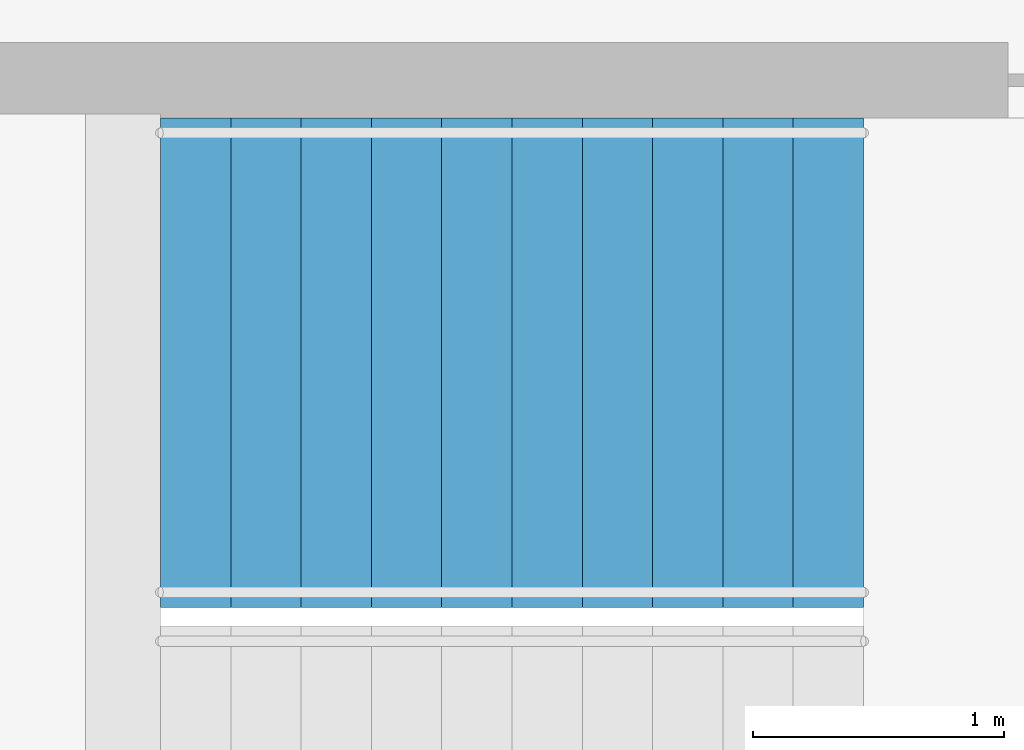
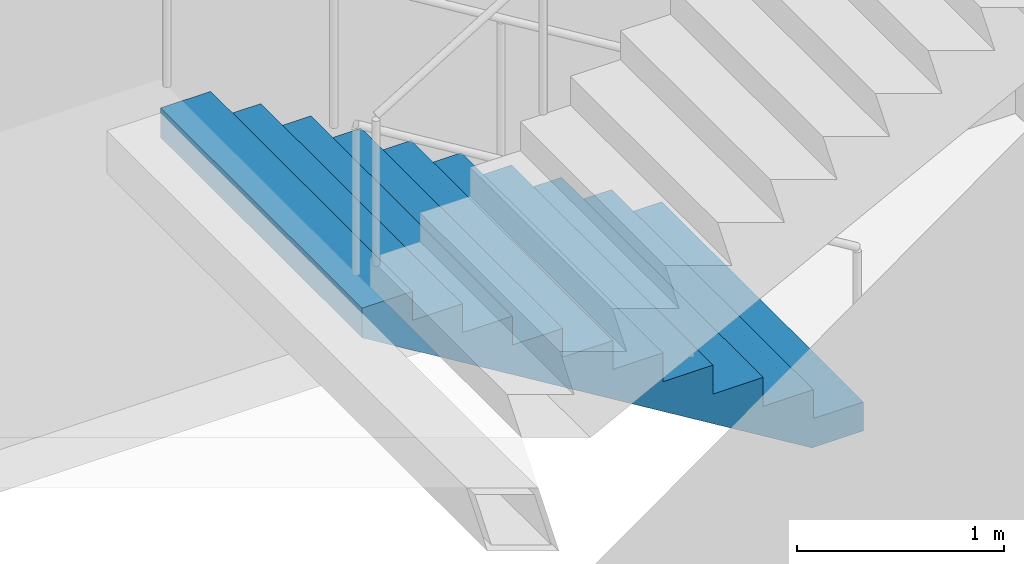
# One storey, part 20 of 21: 1 stair flight, 1 element without a shape of its own.
"""IFC4 building model written with IfcOpenShell, lengths in metres."""

import ifcopenshell
import ifcopenshell.guid

model = None  # the IFC model being written
_history = None  # IfcOwnerHistory: only IFC2X3 demands one
_inside = {}  # id of a spatial element -> (the spatial element, [elements in it])
_under = {}  # id of a project, library or spatial element -> (it, [spatial elements below it])
_declared = {}  # id of a project -> (the project, [libraries it declares])
_typed = {}  # id of a type object -> (the type object, [elements of that type])
_made_of = {}  # id of a material, layer set ... -> (it, [elements and type objects made of it])


def new_model(schema):
    """Start an empty IFC model of exactly this schema.

    Asked for "IFC4X3", IfcOpenShell would pick the latest addendum, in which some entities
    have other attributes; the version numbers below select the first issue.
    IFC2X3 requires an IfcOwnerHistory on every rooted entity: one is made here for all.
    """
    global model, _history
    if schema == "IFC4X3":
        model = ifcopenshell.file(schema_version=(4, 3, 0, 0))
    else:
        model = ifcopenshell.file(schema=schema)
    _inside.clear()
    _under.clear()
    _declared.clear()
    _typed.clear()
    _made_of.clear()
    _history = None
    if model.schema == "IFC2X3":
        org = make("IfcOrganization", Name="unknown")
        user = make(
            "IfcPersonAndOrganization",
            ThePerson=make("IfcPerson", FamilyName="unknown"),
            TheOrganization=org,
        )
        app = make(
            "IfcApplication",
            ApplicationDeveloper=org,
            Version="unknown",
            ApplicationFullName="unknown",
            ApplicationIdentifier="unknown",
        )
        _history = make(
            "IfcOwnerHistory",
            OwningUser=user,
            OwningApplication=app,
            ChangeAction="ADDED",
            CreationDate=0,
        )
    return model


def make(cls, **values):
    """One entity of the class cls with the attributes given. An attribute that is None is left unset."""
    return model.create_entity(
        cls, **{name: value for name, value in values.items() if value is not None}
    )


def rooted(cls, **values):
    """An entity with a GlobalId (a new one), such as an element, a storey or a relation."""
    return make(cls, GlobalId=ifcopenshell.guid.new(), OwnerHistory=_history, **values)


def si_unit(unit_type, name, prefix=None):
    """IfcSIUnit, for example si_unit("LENGTHUNIT", "METRE", prefix="MILLI")."""
    return make("IfcSIUnit", UnitType=unit_type, Prefix=prefix, Name=name)


def assignment(units):
    """IfcUnitAssignment: the units of a project."""
    return None if units is None else make("IfcUnitAssignment", Units=units)


def point(xyz):
    """IfcCartesianPoint."""
    return None if xyz is None else make("IfcCartesianPoint", Coordinates=xyz)


def direction(xyz):
    """IfcDirection."""
    return None if xyz is None else make("IfcDirection", DirectionRatios=xyz)


def frame(location, z_axis=None, x_axis=None):
    """IfcAxis2Placement3D, a coordinate frame: its origin and axes. An axis left out is left unset."""
    return make(
        "IfcAxis2Placement3D",
        Location=point(location),
        Axis=direction(z_axis),
        RefDirection=direction(x_axis),
    )


def origin():
    """The frame at (0, 0, 0) with its axes left unset."""
    return frame((0.0, 0.0, 0.0))


def place(relative_to, where):
    """IfcLocalPlacement: puts the frame where relative to a parent placement (None: the world)."""
    return make(
        "IfcLocalPlacement", PlacementRelTo=relative_to, RelativePlacement=where
    )


def context(
    kind, dimensions, precision=None, world=None, true_north=None, identifier=None
):
    """IfcGeometricRepresentationContext, for example the 3D "Model" context."""
    return make(
        "IfcGeometricRepresentationContext",
        ContextIdentifier=identifier,
        ContextType=kind,
        CoordinateSpaceDimension=dimensions,
        Precision=precision,
        WorldCoordinateSystem=world,
        TrueNorth=true_north,
    )


def subcontext(parent, identifier, kind, view, scale=None):
    """IfcGeometricRepresentationSubContext, for example "Body" below "Model"."""
    return make(
        "IfcGeometricRepresentationSubContext",
        ContextIdentifier=identifier,
        ContextType=kind,
        ParentContext=parent,
        TargetScale=scale,
        TargetView=view,
    )


def project(units=None, contexts=None):
    """IfcProject with its units and contexts."""
    return rooted(
        "IfcProject",
        Name="project",
        RepresentationContexts=contexts,
        UnitsInContext=assignment(units),
    )


def spatial(cls, under=None, at=None, **own):
    """A site, building, storey or space (cls), placed at a placement, below another one or the project."""
    s = rooted(cls, ObjectPlacement=at, **own)
    if under is not None:
        _under.setdefault(under.id(), (under, []))[1].append(s)
    return s


def point_list(points):
    """IfcCartesianPointList2D or 3D."""
    cls = (
        "IfcCartesianPointList2D" if len(points[0]) == 2 else "IfcCartesianPointList3D"
    )
    return make(cls, CoordList=points)


def triangles(points, corners, closed=None, point_numbers=None):
    """IfcTriangulatedFaceSet: each triangle names its three corners, points numbered from 1."""
    return make(
        "IfcTriangulatedFaceSet",
        Coordinates=point_list(points),
        Closed=closed,
        CoordIndex=corners,
        PnIndex=point_numbers,
    )


def shape(context_of_items, identifier, shape_type, items):
    """IfcShapeRepresentation: the items that make up one representation, for example the "Body"."""
    return make(
        "IfcShapeRepresentation",
        ContextOfItems=context_of_items,
        RepresentationIdentifier=identifier,
        RepresentationType=shape_type,
        Items=items,
    )


def material(Name=None, Category=None):
    """IfcMaterial."""
    return make("IfcMaterial", Name=Name, Category=Category)


def made_of(thing, what):
    """Note that an element or type object is made of a material, layer set ...; save() writes the relation."""
    if what is not None:
        _made_of.setdefault(what.id(), (what, []))[1].append(thing)
    return thing


def type_object(cls, material=None, **own):
    """A type object (cls), such as IfcWallType, which elements share."""
    return made_of(rooted(cls, **own), material)


def element(
    cls,
    number,
    at=None,
    inside=None,
    cuts=None,
    type_object=None,
    material=None,
    context=None,
    identifier="Body",
    shape_type=None,
    held_by="IfcProductDefinitionShape",
    body=None,
    shapes=None,
    **own,
):
    """One element of the class cls, such as IfcWall. Its Tag is "e" and its number.

    at: its placement. inside: the storey or other place that contains it. cuts: it is an
    opening in that element (IfcRelVoidsElement). A single representation is given by context,
    identifier, shape_type and body (its items); several are given by shapes. held_by: the class
    of the entity that holds the representations. save() writes the other relations.
    """
    e = rooted(cls, Tag="e%d" % number, ObjectPlacement=at, **own)
    if body is not None:
        shapes = [shape(context, identifier, shape_type, body)]
    if shapes is not None:
        e.Representation = make(held_by, Representations=shapes)
    if inside is not None:
        _inside.setdefault(inside.id(), (inside, []))[1].append(e)
    if cuts is not None:
        rooted(
            "IfcRelVoidsElement", RelatingBuildingElement=cuts, RelatedOpeningElement=e
        )
    if type_object is not None:
        _typed.setdefault(type_object.id(), (type_object, []))[1].append(e)
    return made_of(e, material)


def aggregate(whole, parts):
    """IfcRelAggregates: a whole, such as a stair, and the parts it consists of."""
    return rooted("IfcRelAggregates", RelatingObject=whole, RelatedObjects=parts)


def save(model, path):
    """Write the relations noted so far, then the file.

    IfcRelAggregates (storeys below a building ...), IfcRelContainedInSpatialStructure (elements
    in a storey), IfcRelDefinesByType, IfcRelAssociatesMaterial and IfcRelDeclares: one each for
    every whole, place, type object, material and project.
    """
    for whole, parts in _under.values():
        aggregate(whole, parts)
    for where, things in _inside.values():
        rooted(
            "IfcRelContainedInSpatialStructure",
            RelatedElements=things,
            RelatingStructure=where,
        )
    for kind, things in _typed.values():
        rooted("IfcRelDefinesByType", RelatedObjects=things, RelatingType=kind)
    for what, things in _made_of.values():
        rooted("IfcRelAssociatesMaterial", RelatedObjects=things, RelatingMaterial=what)
    for by, libraries in _declared.values():
        rooted("IfcRelDeclares", RelatingContext=by, RelatedDefinitions=libraries)
    model.write(path)


model = new_model("IFC4")

# Units and contexts
model_context = context("Model", 3, precision=1e-05, world=origin(), true_north=direction((0.0, 1.0)))
body_context = subcontext(model_context, "Body", "Model", "MODEL_VIEW")
ifc_project = project(units=[si_unit("LENGTHUNIT", "METRE"), si_unit("AREAUNIT", "SQUARE_METRE"), si_unit("VOLUMEUNIT", "CUBIC_METRE"), si_unit("PLANEANGLEUNIT", "RADIAN"), si_unit("MASSUNIT", "GRAM", prefix="KILO")], contexts=[model_context])

# Site, building, storey
site_placement = place(None, origin())
site = spatial("IfcSite", under=ifc_project, at=site_placement, CompositionType="ELEMENT")
building_placement = place(site_placement, origin())
building = spatial("IfcBuilding", under=site, at=building_placement, Name="Orbita Commons", CompositionType="ELEMENT")
storey_placement = place(building_placement, frame((0.0, 0.0, 91.89990234375)))
storey = spatial("IfcBuildingStorey", under=building, at=storey_placement, Name="L22", CompositionType="ELEMENT", Elevation=91.89990234375)

# Stair, stair flight
ifc_material_1 = material(Name="Precast concrete C40/50", Category="concrete")
stair_type = type_object("IfcStairType", Name="Exit stair S2 2 flights 11 risers 170", PredefinedType="HALF_TURN_STAIR", material=ifc_material_1)
stair_placement = place(storey_placement, origin())
stair = element("IfcStair", 1, at=stair_placement, inside=storey, type_object=stair_type, Name="Exit stair S2 L22", PredefinedType="HALF_TURN_STAIR")
ifc_material_2 = material(Name="Precast concrete C40/50", Category="concrete")
stair_flight_type = type_object("IfcStairFlightType", Name="Stair flight 11 risers 170 x 280", PredefinedType="STRAIGHT", material=ifc_material_2)
stair_flight_placement = place(storey_placement, frame((63.550048828125, 29.27490234375, 0.0), z_axis=(0.0, 0.0, 1.0), x_axis=(-1.0, 0.0, 0.0)))
stair_flight = element("IfcStairFlight", 2, at=stair_flight_placement, type_object=stair_flight_type, Name="S2 flight 1", NumberOfRisers=11, NumberOfTreads=10, PredefinedType="STRAIGHT", RiserHeight=0.170454545, TreadLength=0.28, context=body_context, shape_type="Tessellation", body=[
    triangles([(0.0, 0.974976, 0.0), (0.0, 0.974976, 0.021307), (0.0, 0.81248, 0.021307), (0.0, 0.81248, 0.0), (0.0, 0.649984, 0.021307), (0.0, 0.649984, 0.0), (0.0, 0.487488, 0.021307), (0.0, 0.487488, 0.0), (0.0, 0.324992, 0.021307), (0.0, 0.324992, 0.0), (0.0, 0.162496, 0.021307), (0.0, 0.162496, 0.0), (0.0, 0.0, 0.021307), (0.0, 0.0, 0.0), (0.0, -0.162496, 0.021307), (0.0, -0.162496, 0.0), (0.0, -0.324992, 0.021307), (0.0, -0.324992, 0.0), (0.0, -0.487488, 0.021307), (0.0, -0.487488, 0.0), (0.0, -0.649984, 0.021307), (0.0, -0.649984, 0.0), (0.0, -0.81248, 0.021307), (0.0, -0.81248, 0.0), (0.0, -0.974976, 0.021307), (0.0, -0.974976, 0.0), (0.0, 0.974976, 0.042614), (0.0, 0.81248, 0.042614), (0.0, 0.649984, 0.042614), (0.0, 0.487488, 0.042614), (0.0, 0.324992, 0.042614), (0.0, 0.162496, 0.042614), (0.0, 0.0, 0.042614), (0.0, -0.162496, 0.042614), (0.0, -0.324992, 0.042614), (0.0, -0.487488, 0.042614), (0.0, -0.649984, 0.042614), (0.0, -0.81248, 0.042614), (0.0, -0.974976, 0.042614), (0.0, 0.974976, 0.06392), (0.0, 0.81248, 0.06392), (0.0, 0.649984, 0.06392), (0.0, 0.487488, 0.06392), (0.0, 0.324992, 0.06392), (0.0, 0.162496, 0.06392), (0.0, 0.0, 0.06392), (0.0, -0.162496, 0.06392), (0.0, -0.324992, 0.06392), (0.0, -0.487488, 0.06392), (0.0, -0.649984, 0.06392), (0.0, -0.81248, 0.06392), (0.0, -0.974976, 0.06392), (0.0, 0.974976, 0.085227), (0.0, 0.81248, 0.085227), (0.0, 0.649984, 0.085227), (0.0, 0.487488, 0.085227), (0.0, 0.324992, 0.085227), (0.0, 0.162496, 0.085227), (0.0, 0.0, 0.085227), (0.0, -0.162496, 0.085227), (0.0, -0.324992, 0.085227), (0.0, -0.487488, 0.085227), (0.0, -0.649984, 0.085227), (0.0, -0.81248, 0.085227), (0.0, -0.974976, 0.085227), (0.0, 0.974976, 0.106534), (0.0, 0.81248, 0.106534), (0.0, 0.649984, 0.106534), (0.0, 0.487488, 0.106534), (0.0, 0.324992, 0.106534), (0.0, 0.162496, 0.106534), (0.0, 0.0, 0.106534), (0.0, -0.162496, 0.106534), (0.0, -0.324992, 0.106534), (0.0, -0.487488, 0.106534), (0.0, -0.649984, 0.106534), (0.0, -0.81248, 0.106534), (0.0, -0.974976, 0.106534), (0.0, 0.974976, 0.127841), (0.0, 0.81248, 0.127841), (0.0, 0.649984, 0.127841), (0.0, 0.487488, 0.127841), (0.0, 0.324992, 0.127841), (0.0, 0.162496, 0.127841), (0.0, 0.0, 0.127841), (0.0, -0.162496, 0.127841), (0.0, -0.324992, 0.127841), (0.0, -0.487488, 0.127841), (0.0, -0.649984, 0.127841), (0.0, -0.81248, 0.127841), (0.0, -0.974976, 0.127841), (0.0, 0.974976, 0.149148), (0.0, 0.81248, 0.149148), (0.0, 0.649984, 0.149148), (0.0, 0.487488, 0.149148), (0.0, 0.324992, 0.149148), (0.0, 0.162496, 0.149148), (0.0, 0.0, 0.149148), (0.0, -0.162496, 0.149148), (0.0, -0.324992, 0.149148), (0.0, -0.487488, 0.149148), (0.0, -0.649984, 0.149148), (0.0, -0.81248, 0.149148), (0.0, -0.974976, 0.149148), (0.0, 0.974976, 0.170455), (0.0, 0.81248, 0.170455), (0.0, 0.649984, 0.170455), (0.0, 0.487488, 0.170455), (0.0, 0.324992, 0.170455), (0.0, 0.162496, 0.170455), (0.0, 0.0, 0.170455), (0.0, -0.162496, 0.170455), (0.0, -0.324992, 0.170455), (0.0, -0.487488, 0.170455), (0.0, -0.649984, 0.170455), (0.0, -0.81248, 0.170455), (0.0, -0.974976, 0.170455), (0.28, 0.974976, 0.170455), (0.28, 0.81248, 0.170455), (0.28, 0.649984, 0.170455), (0.28, 0.487488, 0.170455), (0.28, 0.324992, 0.170455), (0.28, 0.162496, 0.170455), (0.28, 0.0, 0.170455), (0.28, -0.162496, 0.170455), (0.28, -0.324992, 0.170455), (0.28, -0.487488, 0.170455), (0.28, -0.649984, 0.170455), (0.28, -0.81248, 0.170455), (0.28, -0.974976, 0.170455), (0.28, 0.974976, 0.340909), (0.28, 0.81248, 0.340909), (0.28, 0.649984, 0.340909), (0.28, 0.487488, 0.340909), (0.28, 0.324992, 0.340909), (0.28, 0.162496, 0.340909), (0.28, 0.0, 0.340909), (0.28, -0.162496, 0.340909), (0.28, -0.324992, 0.340909), (0.28, -0.487488, 0.340909), (0.28, -0.649984, 0.340909), (0.28, -0.81248, 0.340909), (0.28, -0.974976, 0.340909), (0.56, 0.974976, 0.340909), (0.56, 0.81248, 0.340909), (0.56, 0.649984, 0.340909), (0.56, 0.487488, 0.340909), (0.56, 0.324992, 0.340909), (0.56, 0.162496, 0.340909), (0.56, 0.0, 0.340909), (0.56, -0.162496, 0.340909), (0.56, -0.324992, 0.340909), (0.56, -0.487488, 0.340909), (0.56, -0.649984, 0.340909), (0.56, -0.81248, 0.340909), (0.56, -0.974976, 0.340909), (0.56, 0.974976, 0.511364), (0.56, 0.81248, 0.511364), (0.56, 0.649984, 0.511364), (0.56, 0.487488, 0.511364), (0.56, 0.324992, 0.511364), (0.56, 0.162496, 0.511364), (0.56, 0.0, 0.511364), (0.56, -0.162496, 0.511364), (0.56, -0.324992, 0.511364), (0.56, -0.487488, 0.511364), (0.56, -0.649984, 0.511364), (0.56, -0.81248, 0.511364), (0.56, -0.974976, 0.511364), (0.84, 0.974976, 0.511364), (0.84, 0.81248, 0.511364), (0.84, 0.649984, 0.511364), (0.84, 0.487488, 0.511364), (0.84, 0.324992, 0.511364), (0.84, 0.162496, 0.511364), (0.84, 0.0, 0.511364), (0.84, -0.162496, 0.511364), (0.84, -0.324992, 0.511364), (0.84, -0.487488, 0.511364), (0.84, -0.649984, 0.511364), (0.84, -0.81248, 0.511364), (0.84, -0.974976, 0.511364), (0.84, 0.974976, 0.681818), (0.84, 0.81248, 0.681818), (0.84, 0.649984, 0.681818), (0.84, 0.487488, 0.681818), (0.84, 0.324992, 0.681818), (0.84, 0.162496, 0.681818), (0.84, 0.0, 0.681818), (0.84, -0.162496, 0.681818), (0.84, -0.324992, 0.681818), (0.84, -0.487488, 0.681818), (0.84, -0.649984, 0.681818), (0.84, -0.81248, 0.681818), (0.84, -0.974976, 0.681818), (1.12, 0.974976, 0.681818), (1.12, 0.81248, 0.681818), (1.12, 0.649984, 0.681818), (1.12, 0.487488, 0.681818), (1.12, 0.324992, 0.681818), (1.12, 0.162496, 0.681818), (1.12, 0.0, 0.681818), (1.12, -0.162496, 0.681818), (1.12, -0.324992, 0.681818), (1.12, -0.487488, 0.681818), (1.12, -0.649984, 0.681818), (1.12, -0.81248, 0.681818), (1.12, -0.974976, 0.681818), (1.12, 0.974976, 0.852273), (1.12, 0.81248, 0.852273), (1.12, 0.649984, 0.852273), (1.12, 0.487488, 0.852273), (1.12, 0.324992, 0.852273), (1.12, 0.162496, 0.852273), (1.12, 0.0, 0.852273), (1.12, -0.162496, 0.852273), (1.12, -0.324992, 0.852273), (1.12, -0.487488, 0.852273), (1.12, -0.649984, 0.852273), (1.12, -0.81248, 0.852273), (1.12, -0.974976, 0.852273), (1.4, 0.974976, 0.852273), (1.4, 0.81248, 0.852273), (1.4, 0.649984, 0.852273), (1.4, 0.487488, 0.852273), (1.4, 0.324992, 0.852273), (1.4, 0.162496, 0.852273), (1.4, 0.0, 0.852273), (1.4, -0.162496, 0.852273), (1.4, -0.324992, 0.852273), (1.4, -0.487488, 0.852273), (1.4, -0.649984, 0.852273), (1.4, -0.81248, 0.852273), (1.4, -0.974976, 0.852273), (1.4, 0.974976, 1.022727), (1.4, 0.81248, 1.022727), (1.4, 0.649984, 1.022727), (1.4, 0.487488, 1.022727), (1.4, 0.324992, 1.022727), (1.4, 0.162496, 1.022727), (1.4, 0.0, 1.022727), (1.4, -0.162496, 1.022727), (1.4, -0.324992, 1.022727), (1.4, -0.487488, 1.022727), (1.4, -0.649984, 1.022727), (1.4, -0.81248, 1.022727), (1.4, -0.974976, 1.022727), (1.68, 0.974976, 1.022727), (1.68, 0.81248, 1.022727), (1.68, 0.649984, 1.022727), (1.68, 0.487488, 1.022727), (1.68, 0.324992, 1.022727), (1.68, 0.162496, 1.022727), (1.68, 0.0, 1.022727), (1.68, -0.162496, 1.022727), (1.68, -0.324992, 1.022727), (1.68, -0.487488, 1.022727), (1.68, -0.649984, 1.022727), (1.68, -0.81248, 1.022727), (1.68, -0.974976, 1.022727), (1.68, 0.974976, 1.193182), (1.68, 0.81248, 1.193182), (1.68, 0.649984, 1.193182), (1.68, 0.487488, 1.193182), (1.68, 0.324992, 1.193182), (1.68, 0.162496, 1.193182), (1.68, 0.0, 1.193182), (1.68, -0.162496, 1.193182), (1.68, -0.324992, 1.193182), (1.68, -0.487488, 1.193182), (1.68, -0.649984, 1.193182), (1.68, -0.81248, 1.193182), (1.68, -0.974976, 1.193182), (1.96, 0.974976, 1.193182), (1.96, 0.81248, 1.193182), (1.96, 0.649984, 1.193182), (1.96, 0.487488, 1.193182), (1.96, 0.324992, 1.193182), (1.96, 0.162496, 1.193182), (1.96, 0.0, 1.193182), (1.96, -0.162496, 1.193182), (1.96, -0.324992, 1.193182), (1.96, -0.487488, 1.193182), (1.96, -0.649984, 1.193182), (1.96, -0.81248, 1.193182), (1.96, -0.974976, 1.193182), (1.96, 0.974976, 1.363636), (1.96, 0.81248, 1.363636), (1.96, 0.649984, 1.363636), (1.96, 0.487488, 1.363636), (1.96, 0.324992, 1.363636), (1.96, 0.162496, 1.363636), (1.96, 0.0, 1.363636), (1.96, -0.162496, 1.363636), (1.96, -0.324992, 1.363636), (1.96, -0.487488, 1.363636), (1.96, -0.649984, 1.363636), (1.96, -0.81248, 1.363636), (1.96, -0.974976, 1.363636), (2.24, 0.974976, 1.363636), (2.24, 0.81248, 1.363636), (2.24, 0.649984, 1.363636), (2.24, 0.487488, 1.363636), (2.24, 0.324992, 1.363636), (2.24, 0.162496, 1.363636), (2.24, 0.0, 1.363636), (2.24, -0.162496, 1.363636), (2.24, -0.324992, 1.363636), (2.24, -0.487488, 1.363636), (2.24, -0.649984, 1.363636), (2.24, -0.81248, 1.363636), (2.24, -0.974976, 1.363636), (2.24, 0.974976, 1.534091), (2.24, 0.81248, 1.534091), (2.24, 0.649984, 1.534091), (2.24, 0.487488, 1.534091), (2.24, 0.324992, 1.534091), (2.24, 0.162496, 1.534091), (2.24, 0.0, 1.534091), (2.24, -0.162496, 1.534091), (2.24, -0.324992, 1.534091), (2.24, -0.487488, 1.534091), (2.24, -0.649984, 1.534091), (2.24, -0.81248, 1.534091), (2.24, -0.974976, 1.534091), (2.52, 0.974976, 1.534091), (2.52, 0.81248, 1.534091), (2.52, 0.649984, 1.534091), (2.52, 0.487488, 1.534091), (2.52, 0.324992, 1.534091), (2.52, 0.162496, 1.534091), (2.52, 0.0, 1.534091), (2.52, -0.162496, 1.534091), (2.52, -0.324992, 1.534091), (2.52, -0.487488, 1.534091), (2.52, -0.649984, 1.534091), (2.52, -0.81248, 1.534091), (2.52, -0.974976, 1.534091), (2.52, 0.974976, 1.704545), (2.52, 0.81248, 1.704545), (2.52, 0.649984, 1.704545), (2.52, 0.487488, 1.704545), (2.52, 0.324992, 1.704545), (2.52, 0.162496, 1.704545), (2.52, 0.0, 1.704545), (2.52, -0.162496, 1.704545), (2.52, -0.324992, 1.704545), (2.52, -0.487488, 1.704545), (2.52, -0.649984, 1.704545), (2.52, -0.81248, 1.704545), (2.52, -0.974976, 1.704545), (2.8, 0.974976, 1.704545), (2.8, 0.81248, 1.704545), (2.8, 0.649984, 1.704545), (2.8, 0.487488, 1.704545), (2.8, 0.324992, 1.704545), (2.8, 0.162496, 1.704545), (2.8, 0.0, 1.704545), (2.8, -0.162496, 1.704545), (2.8, -0.324992, 1.704545), (2.8, -0.487488, 1.704545), (2.8, -0.649984, 1.704545), (2.8, -0.81248, 1.704545), (2.8, -0.974976, 1.704545), (2.8, 0.974976, 1.682609), (2.8, 0.81248, 1.682609), (2.8, 0.649984, 1.682609), (2.8, 0.487488, 1.682609), (2.8, 0.324992, 1.682609), (2.8, 0.162496, 1.682609), (2.8, 0.0, 1.682609), (2.8, -0.162496, 1.682609), (2.8, -0.324992, 1.682609), (2.8, -0.487488, 1.682609), (2.8, -0.649984, 1.682609), (2.8, -0.81248, 1.682609), (2.8, -0.974976, 1.682609), (2.8, 0.974976, 1.660672), (2.8, 0.81248, 1.660672), (2.8, 0.649984, 1.660672), (2.8, 0.487488, 1.660672), (2.8, 0.324992, 1.660672), (2.8, 0.162496, 1.660672), (2.8, 0.0, 1.660672), (2.8, -0.162496, 1.660672), (2.8, -0.324992, 1.660672), (2.8, -0.487488, 1.660672), (2.8, -0.649984, 1.660672), (2.8, -0.81248, 1.660672), (2.8, -0.974976, 1.660672), (2.8, 0.974976, 1.638735), (2.8, 0.81248, 1.638735), (2.8, 0.649984, 1.638735), (2.8, 0.487488, 1.638735), (2.8, 0.324992, 1.638735), (2.8, 0.162496, 1.638735), (2.8, 0.0, 1.638735), (2.8, -0.162496, 1.638735), (2.8, -0.324992, 1.638735), (2.8, -0.487488, 1.638735), (2.8, -0.649984, 1.638735), (2.8, -0.81248, 1.638735), (2.8, -0.974976, 1.638735), (2.8, 0.974976, 1.616798), (2.8, 0.81248, 1.616798), (2.8, 0.649984, 1.616798), (2.8, 0.487488, 1.616798), (2.8, 0.324992, 1.616798), (2.8, 0.162496, 1.616798), (2.8, 0.0, 1.616798), (2.8, -0.162496, 1.616798), (2.8, -0.324992, 1.616798), (2.8, -0.487488, 1.616798), (2.8, -0.649984, 1.616798), (2.8, -0.81248, 1.616798), (2.8, -0.974976, 1.616798), (2.8, 0.974976, 1.594861), (2.8, 0.81248, 1.594861), (2.8, 0.649984, 1.594861), (2.8, 0.487488, 1.594861), (2.8, 0.324992, 1.594861), (2.8, 0.162496, 1.594861), (2.8, 0.0, 1.594861), (2.8, -0.162496, 1.594861), (2.8, -0.324992, 1.594861), (2.8, -0.487488, 1.594861), (2.8, -0.649984, 1.594861), (2.8, -0.81248, 1.594861), (2.8, -0.974976, 1.594861), (2.8, 0.974976, 1.572925), (2.8, 0.81248, 1.572925), (2.8, 0.649984, 1.572925), (2.8, 0.487488, 1.572925), (2.8, 0.324992, 1.572925), (2.8, 0.162496, 1.572925), (2.8, 0.0, 1.572925), (2.8, -0.162496, 1.572925), (2.8, -0.324992, 1.572925), (2.8, -0.487488, 1.572925), (2.8, -0.649984, 1.572925), (2.8, -0.81248, 1.572925), (2.8, -0.974976, 1.572925), (2.8, 0.974976, 1.550988), (2.8, 0.81248, 1.550988), (2.8, 0.649984, 1.550988), (2.8, 0.487488, 1.550988), (2.8, 0.324992, 1.550988), (2.8, 0.162496, 1.550988), (2.8, 0.0, 1.550988), (2.8, -0.162496, 1.550988), (2.8, -0.324992, 1.550988), (2.8, -0.487488, 1.550988), (2.8, -0.649984, 1.550988), (2.8, -0.81248, 1.550988), (2.8, -0.974976, 1.550988), (2.8, 0.974976, 1.529051), (2.8, 0.81248, 1.529051), (2.8, 0.649984, 1.529051), (2.8, 0.487488, 1.529051), (2.8, 0.324992, 1.529051), (2.8, 0.162496, 1.529051), (2.8, 0.0, 1.529051), (2.8, -0.162496, 1.529051), (2.8, -0.324992, 1.529051), (2.8, -0.487488, 1.529051), (2.8, -0.649984, 1.529051), (2.8, -0.81248, 1.529051), (2.8, -0.974976, 1.529051), (0.288279, 0.974976, 0.0), (0.288279, 0.81248, 0.0), (0.288279, 0.649984, 0.0), (0.288279, 0.487488, 0.0), (0.288279, 0.324992, 0.0), (0.288279, 0.162496, 0.0), (0.288279, 0.0, 0.0), (0.288279, -0.162496, 0.0), (0.288279, -0.324992, 0.0), (0.288279, -0.487488, 0.0), (0.288279, -0.649984, 0.0), (0.288279, -0.81248, 0.0), (0.288279, -0.974976, 0.0)], [[3, 2, 1], [4, 3, 1], [5, 3, 4], [6, 5, 4], [7, 5, 6], [8, 7, 6], [9, 7, 8], [10, 9, 8], [11, 9, 10], [12, 11, 10], [13, 11, 12], [14, 13, 12], [15, 13, 14], [16, 15, 14], [17, 15, 16], [18, 17, 16], [19, 17, 18], [20, 19, 18], [21, 19, 20], [22, 21, 20], [23, 21, 22], [24, 23, 22], [25, 23, 24], [26, 25, 24], [28, 27, 2], [3, 28, 2], [29, 28, 3], [5, 29, 3], [30, 29, 5], [7, 30, 5], [31, 30, 7], [9, 31, 7], [32, 31, 9], [11, 32, 9], [33, 32, 11], [13, 33, 11], [34, 33, 13], [15, 34, 13], [35, 34, 15], [17, 35, 15], [36, 35, 17], [19, 36, 17], [37, 36, 19], [21, 37, 19], [38, 37, 21], [23, 38, 21], [39, 38, 23], [25, 39, 23], [41, 40, 27], [28, 41, 27], [42, 41, 28], [29, 42, 28], [43, 42, 29], [30, 43, 29], [44, 43, 30], [31, 44, 30], [45, 44, 31], [32, 45, 31], [46, 45, 32], [33, 46, 32], [47, 46, 33], [34, 47, 33], [48, 47, 34], [35, 48, 34], [49, 48, 35], [36, 49, 35], [50, 49, 36], [37, 50, 36], [51, 50, 37], [38, 51, 37], [52, 51, 38], [39, 52, 38], [54, 53, 40], [41, 54, 40], [55, 54, 41], [42, 55, 41], [56, 55, 42], [43, 56, 42], [57, 56, 43], [44, 57, 43], [58, 57, 44], [45, 58, 44], [59, 58, 45], [46, 59, 45], [60, 59, 46], [47, 60, 46], [61, 60, 47], [48, 61, 47], [62, 61, 48], [49, 62, 48], [63, 62, 49], [50, 63, 49], [64, 63, 50], [51, 64, 50], [65, 64, 51], [52, 65, 51], [67, 66, 53], [54, 67, 53], [68, 67, 54], [55, 68, 54], [69, 68, 55], [56, 69, 55], [70, 69, 56], [57, 70, 56], [71, 70, 57], [58, 71, 57], [72, 71, 58], [59, 72, 58], [73, 72, 59], [60, 73, 59], [74, 73, 60], [61, 74, 60], [75, 74, 61], [62, 75, 61], [76, 75, 62], [63, 76, 62], [77, 76, 63], [64, 77, 63], [78, 77, 64], [65, 78, 64], [80, 79, 66], [67, 80, 66], [81, 80, 67], [68, 81, 67], [82, 81, 68], [69, 82, 68], [83, 82, 69], [70, 83, 69], [84, 83, 70], [71, 84, 70], [85, 84, 71], [72, 85, 71], [86, 85, 72], [73, 86, 72], [87, 86, 73], [74, 87, 73], [88, 87, 74], [75, 88, 74], [89, 88, 75], [76, 89, 75], [90, 89, 76], [77, 90, 76], [91, 90, 77], [78, 91, 77], [93, 92, 79], [80, 93, 79], [94, 93, 80], [81, 94, 80], [95, 94, 81], [82, 95, 81], [96, 95, 82], [83, 96, 82], [97, 96, 83], [84, 97, 83], [98, 97, 84], [85, 98, 84], [99, 98, 85], [86, 99, 85], [100, 99, 86], [87, 100, 86], [101, 100, 87], [88, 101, 87], [102, 101, 88], [89, 102, 88], [103, 102, 89], [90, 103, 89], [104, 103, 90], [91, 104, 90], [106, 105, 92], [93, 106, 92], [107, 106, 93], [94, 107, 93], [108, 107, 94], [95, 108, 94], [109, 108, 95], [96, 109, 95], [110, 109, 96], [97, 110, 96], [111, 110, 97], [98, 111, 97], [112, 111, 98], [99, 112, 98], [113, 112, 99], [100, 113, 99], [114, 113, 100], [101, 114, 100], [115, 114, 101], [102, 115, 101], [116, 115, 102], [103, 116, 102], [117, 116, 103], [104, 117, 103], [119, 118, 105], [106, 119, 105], [120, 119, 106], [107, 120, 106], [121, 120, 107], [108, 121, 107], [122, 121, 108], [109, 122, 108], [123, 122, 109], [110, 123, 109], [124, 123, 110], [111, 124, 110], [125, 124, 111], [112, 125, 111], [126, 125, 112], [113, 126, 112], [127, 126, 113], [114, 127, 113], [128, 127, 114], [115, 128, 114], [129, 128, 115], [116, 129, 115], [130, 129, 116], [117, 130, 116], [132, 131, 118], [119, 132, 118], [133, 132, 119], [120, 133, 119], [134, 133, 120], [121, 134, 120], [135, 134, 121], [122, 135, 121], [136, 135, 122], [123, 136, 122], [137, 136, 123], [124, 137, 123], [138, 137, 124], [125, 138, 124], [139, 138, 125], [126, 139, 125], [140, 139, 126], [127, 140, 126], [141, 140, 127], [128, 141, 127], [142, 141, 128], [129, 142, 128], [143, 142, 129], [130, 143, 129], [145, 144, 131], [132, 145, 131], [146, 145, 132], [133, 146, 132], [147, 146, 133], [134, 147, 133], [148, 147, 134], [135, 148, 134], [149, 148, 135], [136, 149, 135], [150, 149, 136], [137, 150, 136], [151, 150, 137], [138, 151, 137], [152, 151, 138], [139, 152, 138], [153, 152, 139], [140, 153, 139], [154, 153, 140], [141, 154, 140], [155, 154, 141], [142, 155, 141], [156, 155, 142], [143, 156, 142], [158, 157, 144], [145, 158, 144], [159, 158, 145], [146, 159, 145], [160, 159, 146], [147, 160, 146], [161, 160, 147], [148, 161, 147], [162, 161, 148], [149, 162, 148], [163, 162, 149], [150, 163, 149], [164, 163, 150], [151, 164, 150], [165, 164, 151], [152, 165, 151], [166, 165, 152], [153, 166, 152], [167, 166, 153], [154, 167, 153], [168, 167, 154], [155, 168, 154], [169, 168, 155], [156, 169, 155], [171, 170, 157], [158, 171, 157], [172, 171, 158], [159, 172, 158], [173, 172, 159], [160, 173, 159], [174, 173, 160], [161, 174, 160], [175, 174, 161], [162, 175, 161], [176, 175, 162], [163, 176, 162], [177, 176, 163], [164, 177, 163], [178, 177, 164], [165, 178, 164], [179, 178, 165], [166, 179, 165], [180, 179, 166], [167, 180, 166], [181, 180, 167], [168, 181, 167], [182, 181, 168], [169, 182, 168], [184, 183, 170], [171, 184, 170], [185, 184, 171], [172, 185, 171], [186, 185, 172], [173, 186, 172], [187, 186, 173], [174, 187, 173], [188, 187, 174], [175, 188, 174], [189, 188, 175], [176, 189, 175], [190, 189, 176], [177, 190, 176], [191, 190, 177], [178, 191, 177], [192, 191, 178], [179, 192, 178], [193, 192, 179], [180, 193, 179], [194, 193, 180], [181, 194, 180], [195, 194, 181], [182, 195, 181], [197, 196, 183], [184, 197, 183], [198, 197, 184], [185, 198, 184], [199, 198, 185], [186, 199, 185], [200, 199, 186], [187, 200, 186], [201, 200, 187], [188, 201, 187], [202, 201, 188], [189, 202, 188], [203, 202, 189], [190, 203, 189], [204, 203, 190], [191, 204, 190], [205, 204, 191], [192, 205, 191], [206, 205, 192], [193, 206, 192], [207, 206, 193], [194, 207, 193], [208, 207, 194], [195, 208, 194], [210, 209, 196], [197, 210, 196], [211, 210, 197], [198, 211, 197], [212, 211, 198], [199, 212, 198], [213, 212, 199], [200, 213, 199], [214, 213, 200], [201, 214, 200], [215, 214, 201], [202, 215, 201], [216, 215, 202], [203, 216, 202], [217, 216, 203], [204, 217, 203], [218, 217, 204], [205, 218, 204], [219, 218, 205], [206, 219, 205], [220, 219, 206], [207, 220, 206], [221, 220, 207], [208, 221, 207], [223, 222, 209], [210, 223, 209], [224, 223, 210], [211, 224, 210], [225, 224, 211], [212, 225, 211], [226, 225, 212], [213, 226, 212], [227, 226, 213], [214, 227, 213], [228, 227, 214], [215, 228, 214], [229, 228, 215], [216, 229, 215], [230, 229, 216], [217, 230, 216], [231, 230, 217], [218, 231, 217], [232, 231, 218], [219, 232, 218], [233, 232, 219], [220, 233, 219], [234, 233, 220], [221, 234, 220], [236, 235, 222], [223, 236, 222], [237, 236, 223], [224, 237, 223], [238, 237, 224], [225, 238, 224], [239, 238, 225], [226, 239, 225], [240, 239, 226], [227, 240, 226], [241, 240, 227], [228, 241, 227], [242, 241, 228], [229, 242, 228], [243, 242, 229], [230, 243, 229], [244, 243, 230], [231, 244, 230], [245, 244, 231], [232, 245, 231], [246, 245, 232], [233, 246, 232], [247, 246, 233], [234, 247, 233], [249, 248, 235], [236, 249, 235], [250, 249, 236], [237, 250, 236], [251, 250, 237], [238, 251, 237], [252, 251, 238], [239, 252, 238], [253, 252, 239], [240, 253, 239], [254, 253, 240], [241, 254, 240], [255, 254, 241], [242, 255, 241], [256, 255, 242], [243, 256, 242], [257, 256, 243], [244, 257, 243], [258, 257, 244], [245, 258, 244], [259, 258, 245], [246, 259, 245], [260, 259, 246], [247, 260, 246], [262, 261, 248], [249, 262, 248], [263, 262, 249], [250, 263, 249], [264, 263, 250], [251, 264, 250], [265, 264, 251], [252, 265, 251], [266, 265, 252], [253, 266, 252], [267, 266, 253], [254, 267, 253], [268, 267, 254], [255, 268, 254], [269, 268, 255], [256, 269, 255], [270, 269, 256], [257, 270, 256], [271, 270, 257], [258, 271, 257], [272, 271, 258], [259, 272, 258], [273, 272, 259], [260, 273, 259], [275, 274, 261], [262, 275, 261], [276, 275, 262], [263, 276, 262], [277, 276, 263], [264, 277, 263], [278, 277, 264], [265, 278, 264], [279, 278, 265], [266, 279, 265], [280, 279, 266], [267, 280, 266], [281, 280, 267], [268, 281, 267], [282, 281, 268], [269, 282, 268], [283, 282, 269], [270, 283, 269], [284, 283, 270], [271, 284, 270], [285, 284, 271], [272, 285, 271], [286, 285, 272], [273, 286, 272], [288, 287, 274], [275, 288, 274], [289, 288, 275], [276, 289, 275], [290, 289, 276], [277, 290, 276], [291, 290, 277], [278, 291, 277], [292, 291, 278], [279, 292, 278], [293, 292, 279], [280, 293, 279], [294, 293, 280], [281, 294, 280], [295, 294, 281], [282, 295, 281], [296, 295, 282], [283, 296, 282], [297, 296, 283], [284, 297, 283], [298, 297, 284], [285, 298, 284], [299, 298, 285], [286, 299, 285], [301, 300, 287], [288, 301, 287], [302, 301, 288], [289, 302, 288], [303, 302, 289], [290, 303, 289], [304, 303, 290], [291, 304, 290], [305, 304, 291], [292, 305, 291], [306, 305, 292], [293, 306, 292], [307, 306, 293], [294, 307, 293], [308, 307, 294], [295, 308, 294], [309, 308, 295], [296, 309, 295], [310, 309, 296], [297, 310, 296], [311, 310, 297], [298, 311, 297], [312, 311, 298], [299, 312, 298], [314, 313, 300], [301, 314, 300], [315, 314, 301], [302, 315, 301], [316, 315, 302], [303, 316, 302], [317, 316, 303], [304, 317, 303], [318, 317, 304], [305, 318, 304], [319, 318, 305], [306, 319, 305], [320, 319, 306], [307, 320, 306], [321, 320, 307], [308, 321, 307], [322, 321, 308], [309, 322, 308], [323, 322, 309], [310, 323, 309], [324, 323, 310], [311, 324, 310], [325, 324, 311], [312, 325, 311], [327, 326, 313], [314, 327, 313], [328, 327, 314], [315, 328, 314], [329, 328, 315], [316, 329, 315], [330, 329, 316], [317, 330, 316], [331, 330, 317], [318, 331, 317], [332, 331, 318], [319, 332, 318], [333, 332, 319], [320, 333, 319], [334, 333, 320], [321, 334, 320], [335, 334, 321], [322, 335, 321], [336, 335, 322], [323, 336, 322], [337, 336, 323], [324, 337, 323], [338, 337, 324], [325, 338, 324], [340, 339, 326], [327, 340, 326], [341, 340, 327], [328, 341, 327], [342, 341, 328], [329, 342, 328], [343, 342, 329], [330, 343, 329], [344, 343, 330], [331, 344, 330], [345, 344, 331], [332, 345, 331], [346, 345, 332], [333, 346, 332], [347, 346, 333], [334, 347, 333], [348, 347, 334], [335, 348, 334], [349, 348, 335], [336, 349, 335], [350, 349, 336], [337, 350, 336], [351, 350, 337], [338, 351, 337], [353, 352, 339], [340, 353, 339], [354, 353, 340], [341, 354, 340], [355, 354, 341], [342, 355, 341], [356, 355, 342], [343, 356, 342], [357, 356, 343], [344, 357, 343], [358, 357, 344], [345, 358, 344], [359, 358, 345], [346, 359, 345], [360, 359, 346], [347, 360, 346], [361, 360, 347], [348, 361, 347], [362, 361, 348], [349, 362, 348], [363, 362, 349], [350, 363, 349], [364, 363, 350], [351, 364, 350], [366, 365, 352], [353, 366, 352], [367, 366, 353], [354, 367, 353], [368, 367, 354], [355, 368, 354], [369, 368, 355], [356, 369, 355], [370, 369, 356], [357, 370, 356], [371, 370, 357], [358, 371, 357], [372, 371, 358], [359, 372, 358], [373, 372, 359], [360, 373, 359], [374, 373, 360], [361, 374, 360], [375, 374, 361], [362, 375, 361], [376, 375, 362], [363, 376, 362], [377, 376, 363], [364, 377, 363], [379, 378, 365], [366, 379, 365], [380, 379, 366], [367, 380, 366], [381, 380, 367], [368, 381, 367], [382, 381, 368], [369, 382, 368], [383, 382, 369], [370, 383, 369], [384, 383, 370], [371, 384, 370], [385, 384, 371], [372, 385, 371], [386, 385, 372], [373, 386, 372], [387, 386, 373], [374, 387, 373], [388, 387, 374], [375, 388, 374], [389, 388, 375], [376, 389, 375], [390, 389, 376], [377, 390, 376], [392, 391, 378], [379, 392, 378], [393, 392, 379], [380, 393, 379], [394, 393, 380], [381, 394, 380], [395, 394, 381], [382, 395, 381], [396, 395, 382], [383, 396, 382], [397, 396, 383], [384, 397, 383], [398, 397, 384], [385, 398, 384], [399, 398, 385], [386, 399, 385], [400, 399, 386], [387, 400, 386], [401, 400, 387], [388, 401, 387], [402, 401, 388], [389, 402, 388], [403, 402, 389], [390, 403, 389], [405, 404, 391], [392, 405, 391], [406, 405, 392], [393, 406, 392], [407, 406, 393], [394, 407, 393], [408, 407, 394], [395, 408, 394], [409, 408, 395], [396, 409, 395], [410, 409, 396], [397, 410, 396], [411, 410, 397], [398, 411, 397], [412, 411, 398], [399, 412, 398], [413, 412, 399], [400, 413, 399], [414, 413, 400], [401, 414, 400], [415, 414, 401], [402, 415, 401], [416, 415, 402], [403, 416, 402], [418, 417, 404], [405, 418, 404], [419, 418, 405], [406, 419, 405], [420, 419, 406], [407, 420, 406], [421, 420, 407], [408, 421, 407], [422, 421, 408], [409, 422, 408], [423, 422, 409], [410, 423, 409], [424, 423, 410], [411, 424, 410], [425, 424, 411], [412, 425, 411], [426, 425, 412], [413, 426, 412], [427, 426, 413], [414, 427, 413], [428, 427, 414], [415, 428, 414], [429, 428, 415], [416, 429, 415], [431, 430, 417], [418, 431, 417], [432, 431, 418], [419, 432, 418], [433, 432, 419], [420, 433, 419], [434, 433, 420], [421, 434, 420], [435, 434, 421], [422, 435, 421], [436, 435, 422], [423, 436, 422], [437, 436, 423], [424, 437, 423], [438, 437, 424], [425, 438, 424], [439, 438, 425], [426, 439, 425], [440, 439, 426], [427, 440, 426], [441, 440, 427], [428, 441, 427], [442, 441, 428], [429, 442, 428], [444, 443, 430], [431, 444, 430], [445, 444, 431], [432, 445, 431], [446, 445, 432], [433, 446, 432], [447, 446, 433], [434, 447, 433], [448, 447, 434], [435, 448, 434], [449, 448, 435], [436, 449, 435], [450, 449, 436], [437, 450, 436], [451, 450, 437], [438, 451, 437], [452, 451, 438], [439, 452, 438], [453, 452, 439], [440, 453, 439], [454, 453, 440], [441, 454, 440], [455, 454, 441], [442, 455, 441], [457, 456, 443], [444, 457, 443], [458, 457, 444], [445, 458, 444], [459, 458, 445], [446, 459, 445], [460, 459, 446], [447, 460, 446], [461, 460, 447], [448, 461, 447], [462, 461, 448], [449, 462, 448], [463, 462, 449], [450, 463, 449], [464, 463, 450], [451, 464, 450], [465, 464, 451], [452, 465, 451], [466, 465, 452], [453, 466, 452], [467, 466, 453], [454, 467, 453], [468, 467, 454], [455, 468, 454], [470, 469, 456], [457, 470, 456], [471, 470, 457], [458, 471, 457], [472, 471, 458], [459, 472, 458], [473, 472, 459], [460, 473, 459], [474, 473, 460], [461, 474, 460], [475, 474, 461], [462, 475, 461], [476, 475, 462], [463, 476, 462], [477, 476, 463], [464, 477, 463], [478, 477, 464], [465, 478, 464], [479, 478, 465], [466, 479, 465], [480, 479, 466], [467, 480, 466], [481, 480, 467], [468, 481, 467], [4, 1, 469], [470, 4, 469], [6, 4, 470], [471, 6, 470], [8, 6, 471], [472, 8, 471], [10, 8, 472], [473, 10, 472], [12, 10, 473], [474, 12, 473], [14, 12, 474], [475, 14, 474], [16, 14, 475], [476, 16, 475], [18, 16, 476], [477, 18, 476], [20, 18, 477], [478, 20, 477], [22, 20, 478], [479, 22, 478], [24, 22, 479], [480, 24, 479], [26, 24, 480], [481, 26, 480], [456, 469, 1], [26, 481, 468], [443, 456, 1], [26, 468, 455], [430, 443, 1], [26, 455, 442], [417, 430, 1], [26, 442, 429], [404, 417, 1], [26, 429, 416], [391, 404, 1], [26, 416, 403], [378, 391, 1], [26, 403, 390], [365, 378, 1], [26, 390, 377], [339, 352, 365], [377, 364, 351], [326, 339, 365], [377, 351, 338], [300, 313, 326], [338, 325, 312], [300, 326, 365], [377, 338, 312], [274, 287, 300], [312, 299, 286], [274, 300, 365], [377, 312, 286], [248, 261, 274], [286, 273, 260], [248, 274, 365], [377, 286, 260], [222, 235, 248], [260, 247, 234], [222, 248, 365], [377, 260, 234], [196, 209, 222], [234, 221, 208], [196, 222, 365], [377, 234, 208], [170, 183, 196], [208, 195, 182], [170, 196, 365], [377, 208, 182], [144, 157, 170], [182, 169, 156], [144, 170, 365], [377, 182, 156], [118, 131, 144], [156, 143, 130], [118, 144, 365], [377, 156, 130], [118, 365, 1], [26, 377, 130], [92, 105, 118], [130, 117, 104], [79, 92, 118], [130, 104, 91], [66, 79, 118], [130, 91, 78], [53, 66, 118], [130, 78, 65], [40, 53, 118], [130, 65, 52], [27, 40, 118], [130, 52, 39], [2, 27, 118], [130, 39, 25], [1, 2, 118], [130, 25, 26]], closed=True),
])
aggregate(stair, [stair_flight])

save(model, "model.ifc")
